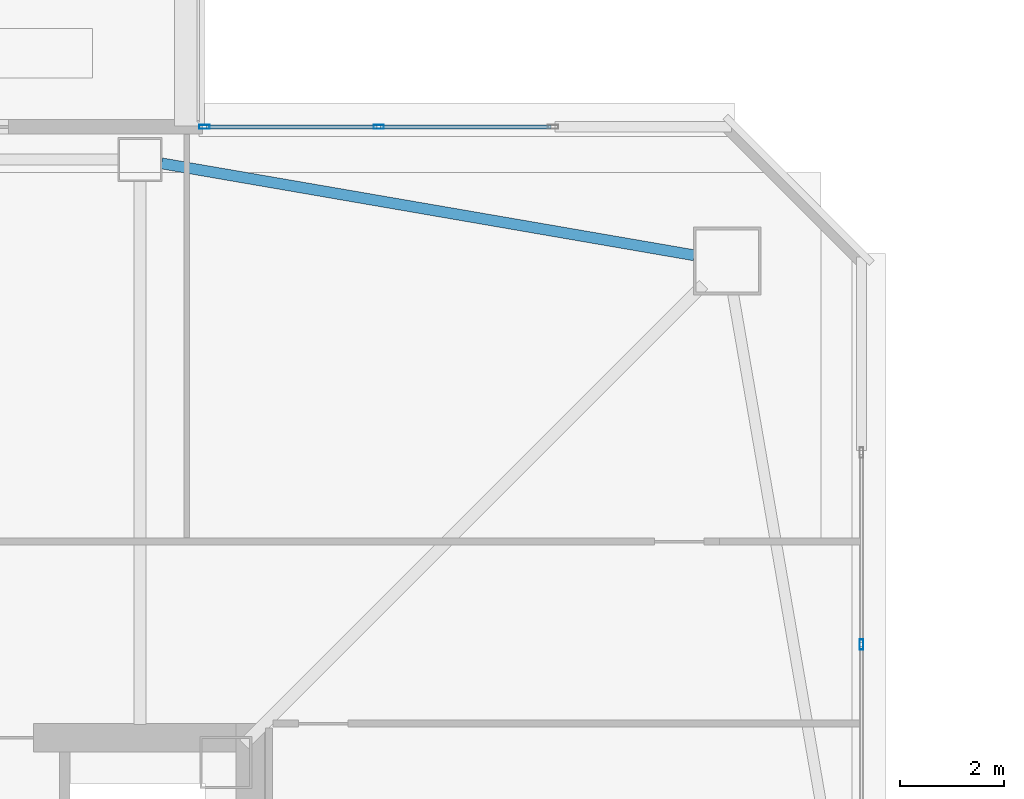
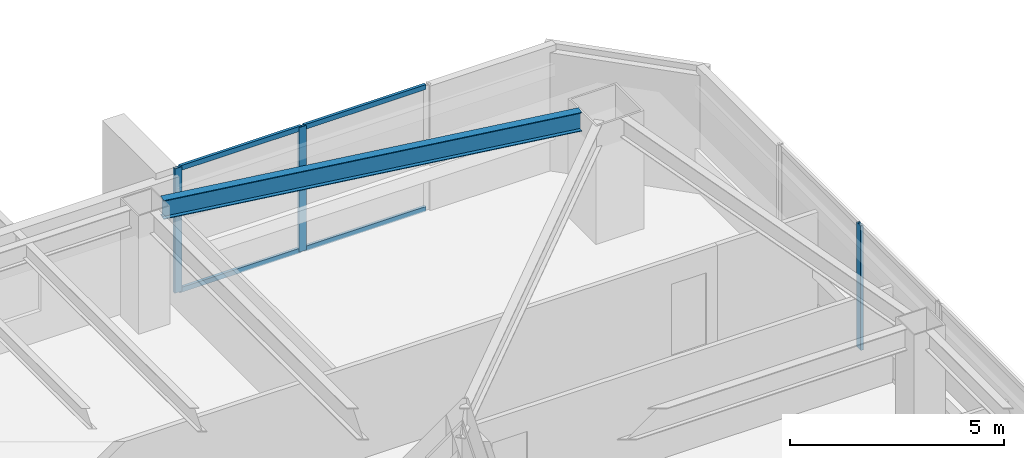
# One storey, part 15 of 44: 7 members, 1 beam, 2 elements without a shape of their own.
"""IFC4 building model written with IfcOpenShell, lengths in metres."""

from ifc_helpers import new_model, si_unit, direction, frame, origin, origin_2d, place, context, subcontext, project, spatial, hollow_rectangle, i_section, extrude, material, material_profile, profile_set, type_object, element, aggregate, save


model = new_model("IFC4")

# Units and contexts
model_context = context("Model", 3, precision=1e-05, world=origin(), true_north=direction((0.0, 1.0)))
body_context = subcontext(model_context, "Body", "Model", "MODEL_VIEW")
ifc_project = project(units=[si_unit("LENGTHUNIT", "METRE"), si_unit("AREAUNIT", "SQUARE_METRE"), si_unit("VOLUMEUNIT", "CUBIC_METRE"), si_unit("PLANEANGLEUNIT", "RADIAN"), si_unit("MASSUNIT", "GRAM", prefix="KILO")], contexts=[model_context])

# Site, building, storey
site_placement = place(None, origin())
site = spatial("IfcSite", under=ifc_project, at=site_placement, CompositionType="ELEMENT")
building_placement = place(site_placement, origin())
building = spatial("IfcBuilding", under=site, at=building_placement, Name="Tashvorn Skyway Center", CompositionType="ELEMENT")
storey_placement = place(building_placement, frame((0.0, 0.0, 149.89990234375)))
storey = spatial("IfcBuildingStorey", under=building, at=storey_placement, Name="L40", CompositionType="ELEMENT", Elevation=149.89990234375)

# Beam
ifc_material_1 = material(Name="Steel ASTM A992 Grade 50", Category="steel")
ifc_material_profile_1 = material_profile(ifc_material_1, i_section(OverallWidth=0.2109375, OverallDepth=0.5390625, WebThickness=0.01171875, FlangeThickness=0.018798828125, at=origin_2d()), Name="W21X73")
ifc_profile_set_1 = profile_set([ifc_material_profile_1], Name="Steel ASTM A992 Grade 50")
beam_type = type_object("IfcBeamType", Name="BM-SPANDREL-W21X73", PredefinedType="SPANDREL", material=ifc_profile_set_1)
beam_placement = place(storey_placement, frame((58.064453125, 48.8095703125, 3.1005859375), z_axis=(-0.985432458462, 0.170067250846, 0.0), x_axis=(-0.170067250846, -0.985432458462, 0.0)))
element("IfcBeam", 1, at=beam_placement, inside=storey, type_object=beam_type, Name="Tower 1 L40 Spandrel Beam 07", PredefinedType="SPANDREL", context=body_context, shape_type="SweptSolid", body=[
    extrude(i_section(OverallWidth=0.2109375, OverallDepth=0.5390625, WebThickness=0.01171875, FlangeThickness=0.018798828125, at=origin_2d()), origin(), (0.0, 0.0, 1.0), 10.402099609375),
])

# Curtain wall, members
ifc_material_2 = material(Name="Thermally broken bronze-anodized aluminium 6063-T6", Category="aluminium")
curtain_wall_type = type_object("IfcCurtainWallType", Name="CW-CW-Z3", PredefinedType="NOTDEFINED", material=ifc_material_2)
curtain_wall_1_placement = place(storey_placement, origin())
curtain_wall_1 = element("IfcCurtainWall", 2, at=curtain_wall_1_placement, inside=storey, type_object=curtain_wall_type, Name="Tower 1 L40 North Curtain Wall R Glazing Group 1", PredefinedType="NOTDEFINED")
ifc_material_profile_2 = material_profile(ifc_material_2, hollow_rectangle(XDim=0.074951171875, YDim=0.199951171875, WallThickness=0.00439453125, at=origin_2d()), Name="ALU-MULL-75x200")
ifc_profile_set_2 = profile_set([ifc_material_profile_2], Name="Thermally broken bronze-anodized aluminium 6063-T6")
member_type_1 = type_object("IfcMemberType", Name="CWM-CW-Z3", PredefinedType="MULLION", material=ifc_profile_set_2)
member_1_placement = place(storey_placement, frame((48.637451171875, 51.280029296875, 0.0), z_axis=(0.0, 0.0, 1.0), x_axis=(0.0, 1.0, 0.0)))
member_1 = element("IfcMember", 3, at=member_1_placement, type_object=member_type_1, Name="CW-Z3 mullion 1", PredefinedType="MULLION", context=body_context, shape_type="SweptSolid", body=[
    extrude(hollow_rectangle(XDim=0.074951171875, YDim=0.199951171875, WallThickness=0.00439453125, at=origin_2d()), origin(), (0.0, 0.0, 1.0), 3.550048828125),
])
member_2_placement = place(storey_placement, frame((51.993408203125, 51.280029296875, 0.0), z_axis=(0.0, 0.0, 1.0), x_axis=(0.0, 1.0, 0.0)))
member_2 = element("IfcMember", 4, at=member_2_placement, type_object=member_type_1, Name="CW-Z3 mullion 2", PredefinedType="MULLION", context=body_context, shape_type="SweptSolid", body=[
    extrude(hollow_rectangle(XDim=0.074951171875, YDim=0.199951171875, WallThickness=0.00439453125, at=origin_2d()), origin(), (0.0, 0.0, 1.0), 3.550048828125),
])

# Curtain wall, member
curtain_wall_2_placement = place(storey_placement, origin())
curtain_wall_2 = element("IfcCurtainWall", 5, at=curtain_wall_2_placement, inside=storey, type_object=curtain_wall_type, Name="Tower 1 L40 East Unitised Curtain Wall Glazing Group 1", PredefinedType="NOTDEFINED")
member_3_placement = place(storey_placement, frame((61.280029296875, 41.322265625, 0.0), z_axis=(0.0, 0.0, 1.0), x_axis=(1.0, 0.0, 0.0)))
member_3 = element("IfcMember", 6, at=member_3_placement, type_object=member_type_1, Name="CW-Z3 mullion 2", PredefinedType="MULLION", context=body_context, shape_type="SweptSolid", body=[
    extrude(hollow_rectangle(XDim=0.074951171875, YDim=0.199951171875, WallThickness=0.00439453125, at=origin_2d()), origin(), (0.0, 0.0, 1.0), 3.550048828125),
])
aggregate(curtain_wall_2, [member_3])

# Member
ifc_material_profile_3 = material_profile(ifc_material_2, hollow_rectangle(XDim=0.074951171875, YDim=0.139892578125, WallThickness=0.004150390625, at=origin_2d()), Name="ALU-TRAN-75x140")
ifc_profile_set_3 = profile_set([ifc_material_profile_3], Name="Thermally broken bronze-anodized aluminium 6063-T6")
member_type_2 = type_object("IfcMemberType", Name="CWT-CW-Z3", PredefinedType="USERDEFINED", material=ifc_profile_set_3)
member_4_placement = place(storey_placement, frame((48.675048828125, 51.280029296875, 0.03759765625), z_axis=(1.0, 0.0, 0.0), x_axis=(0.0, 1.0, 0.0)))
member_4 = element("IfcMember", 7, at=member_4_placement, type_object=member_type_2, Name="CW-Z3 transom 1.1", ObjectType="TRANSOM", PredefinedType="USERDEFINED", context=body_context, shape_type="SweptSolid", body=[
    extrude(hollow_rectangle(XDim=0.074951171875, YDim=0.139892578125, WallThickness=0.004150390625, at=origin_2d()), origin(), (0.0, 0.0, 1.0), 3.28076171875),
])

member_5_placement = place(storey_placement, frame((48.675048828125, 51.280029296875, 3.5126953125), z_axis=(1.0, 0.0, 0.0), x_axis=(0.0, 1.0, 0.0)))
member_5 = element("IfcMember", 8, at=member_5_placement, type_object=member_type_2, Name="CW-Z3 transom 1.2", ObjectType="TRANSOM", PredefinedType="USERDEFINED", context=body_context, shape_type="SweptSolid", body=[
    extrude(hollow_rectangle(XDim=0.074951171875, YDim=0.139892578125, WallThickness=0.004150390625, at=origin_2d()), origin(), (0.0, 0.0, 1.0), 3.28076171875),
])

member_6_placement = place(storey_placement, frame((52.03076171875, 51.280029296875, 0.03759765625), z_axis=(1.0, 0.0, 0.0), x_axis=(0.0, 1.0, 0.0)))
member_6 = element("IfcMember", 9, at=member_6_placement, type_object=member_type_2, Name="CW-Z3 transom 2.1", ObjectType="TRANSOM", PredefinedType="USERDEFINED", context=body_context, shape_type="SweptSolid", body=[
    extrude(hollow_rectangle(XDim=0.074951171875, YDim=0.139892578125, WallThickness=0.004150390625, at=origin_2d()), origin(), (0.0, 0.0, 1.0), 3.281005859375),
])

member_7_placement = place(storey_placement, frame((52.03076171875, 51.280029296875, 3.5126953125), z_axis=(1.0, 0.0, 0.0), x_axis=(0.0, 1.0, 0.0)))
member_7 = element("IfcMember", 10, at=member_7_placement, type_object=member_type_2, Name="CW-Z3 transom 2.2", ObjectType="TRANSOM", PredefinedType="USERDEFINED", context=body_context, shape_type="SweptSolid", body=[
    extrude(hollow_rectangle(XDim=0.074951171875, YDim=0.139892578125, WallThickness=0.004150390625, at=origin_2d()), origin(), (0.0, 0.0, 1.0), 3.281005859375),
])

aggregate(curtain_wall_1, [member_1, member_2, member_4, member_5, member_6, member_7])

save(model, "model.ifc")
